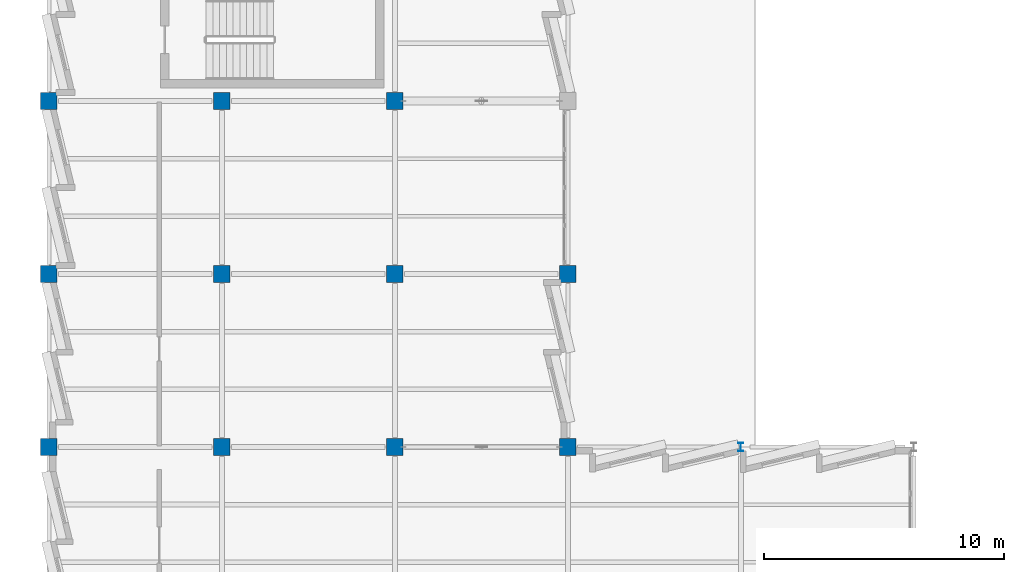
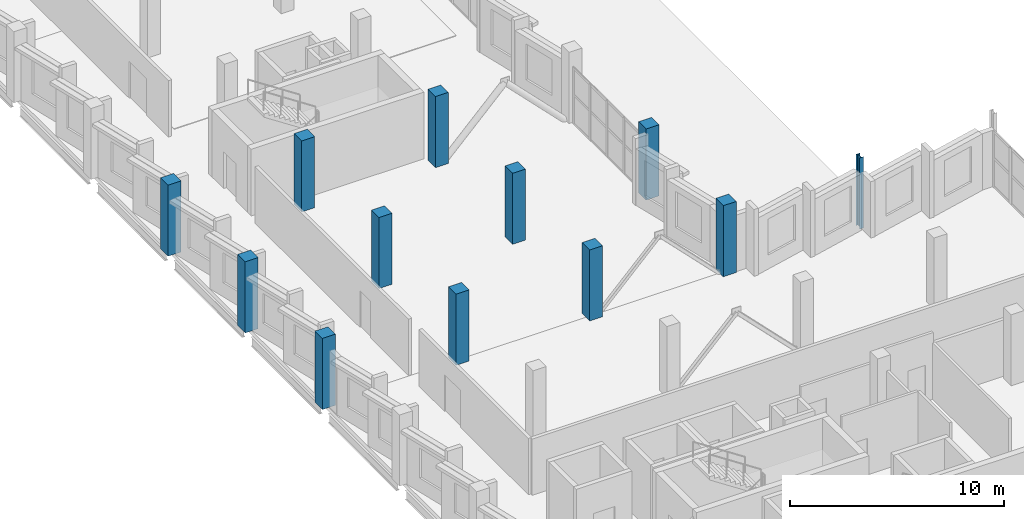
# One storey, part 3 of 38: 12 columns.
"""IFC4 building model written with IfcOpenShell, lengths in metres."""

from ifc_helpers import new_model, si_unit, direction, frame, origin, origin_2d, place, context, subcontext, project, spatial, rectangle, i_section, extrude, material, material_profile, profile_set, type_object, element, save


model = new_model("IFC4")

# Units and contexts
model_context = context("Model", 3, precision=1e-05, world=origin(), true_north=direction((0.0, 1.0)))
body_context = subcontext(model_context, "Body", "Model", "MODEL_VIEW")
ifc_project = project(units=[si_unit("LENGTHUNIT", "METRE"), si_unit("AREAUNIT", "SQUARE_METRE"), si_unit("VOLUMEUNIT", "CUBIC_METRE"), si_unit("PLANEANGLEUNIT", "RADIAN"), si_unit("MASSUNIT", "GRAM", prefix="KILO")], contexts=[model_context])

# Site, building, storey
site_placement = place(None, origin())
site = spatial("IfcSite", under=ifc_project, at=site_placement, CompositionType="ELEMENT")
building_placement = place(site_placement, origin())
building = spatial("IfcBuilding", under=site, at=building_placement, Name="Kalmorath City Hall", CompositionType="ELEMENT")
storey_placement = place(building_placement, frame((0.0, 0.0, 18.89990234375)))
storey = spatial("IfcBuildingStorey", under=building, at=storey_placement, Name="L04", CompositionType="ELEMENT", Elevation=18.89990234375)

# Columns
ifc_material_1 = material(Name="Concrete C50/60", Category="concrete")
ifc_material_profile_1 = material_profile(ifc_material_1, rectangle(XDim=0.699951171875, YDim=0.699951171875, at=origin_2d()), Name="RC-COL-700X700")
ifc_profile_set_1 = profile_set([ifc_material_profile_1], Name="Concrete C50/60")
column_type_1 = type_object("IfcColumnType", Name="Concrete column 700x700", PredefinedType="COLUMN", material=ifc_profile_set_1)
for number, where, z_axis, x_axis, name in (
    (1, (0.0, 36.0, 0.0), (0.0, 0.0, 1.0), (1.0, 0.0, 0.0), "L04 column C4 (1/6)"),
    (2, (0.0, 43.199951171875, 0.0), (0.0, 0.0, 1.0), (1.0, 0.0, 0.0), "L04 column C4 (1/7)"),
    (3, (0.0, 50.39990234375, 0.0), (0.0, 0.0, 1.0), (1.0, 0.0, 0.0), "L04 column C4 (1/8)"),
    (4, (7.199951171875, 36.0, 0.0), (0.0, 0.0, 1.0), (1.0, 0.0, 0.0), "L04 column C4 (2/6)"),
    (5, (7.199951171875, 43.199951171875, 0.0), (0.0, 0.0, 1.0), (1.0, 0.0, 0.0), "L04 column C4 (2/7)"),
    (6, (7.199951171875, 50.39990234375, 0.0), (0.0, 0.0, 1.0), (1.0, 0.0, 0.0), "L04 column C4 (2/8)"),
    (7, (14.39990234375, 36.0, 0.0), (0.0, 0.0, 1.0), (1.0, 0.0, 0.0), "L04 column C4 (3/6)"),
    (8, (14.39990234375, 43.199951171875, 0.0), (0.0, 0.0, 1.0), (1.0, 0.0, 0.0), "L04 column C4 (3/7)"),
    (9, (14.39990234375, 50.39990234375, 0.0), (0.0, 0.0, 1.0), (1.0, 0.0, 0.0), "L04 column C4 (3/8)"),
    (10, (21.60009765625, 36.0, 0.0), (0.0, 0.0, 1.0), (1.0, 0.0, 0.0), "L04 column C4 (4/6)"),
    (11, (21.60009765625, 43.199951171875, 0.0), (0.0, 0.0, 1.0), (1.0, 0.0, 0.0), "L04 column C4 (4/7)"),
):
    element("IfcColumn", number, at=place(storey_placement, frame(where, z_axis=z_axis, x_axis=x_axis)), inside=storey, type_object=column_type_1, Name=name, PredefinedType="COLUMN", context=body_context, shape_type="SweptSolid", body=[
        extrude(rectangle(XDim=0.699951171875, YDim=0.699951171875, at=origin_2d()), origin(), (0.0, 0.0, 1.0), 4.050048828125),
    ])
ifc_material_2 = material(Name="Steel ASTM A992 Grade 50", Category="steel")
ifc_material_profile_2 = material_profile(ifc_material_2, i_section(OverallWidth=0.2041015625, OverallDepth=0.35009765625, WebThickness=0.008544921875, FlangeThickness=0.01513671875, FilletRadius=0.014892578125, at=origin_2d()), Name="W14X48")
ifc_profile_set_2 = profile_set([ifc_material_profile_2], Name="Steel ASTM A992 Grade 50")
column_type_2 = type_object("IfcColumnType", Name="Steel wide-flange column W14X48", PredefinedType="COLUMN", material=ifc_profile_set_2)
column_placement = place(storey_placement, frame((28.800048828125, 36.0, 0.0), z_axis=(0.0, 0.0, 1.0), x_axis=(1.0, 0.0, 0.0)))
element("IfcColumn", 12, at=column_placement, inside=storey, type_object=column_type_2, Name="L04 column SC6 (5/6)", PredefinedType="COLUMN", context=body_context, shape_type="SweptSolid", body=[
    extrude(i_section(OverallWidth=0.2041015625, OverallDepth=0.35009765625, WebThickness=0.008544921875, FlangeThickness=0.01513671875, FilletRadius=0.014892578125, at=origin_2d()), origin(), (0.0, 0.0, 1.0), 4.050048828125),
])

save(model, "model.ifc")
